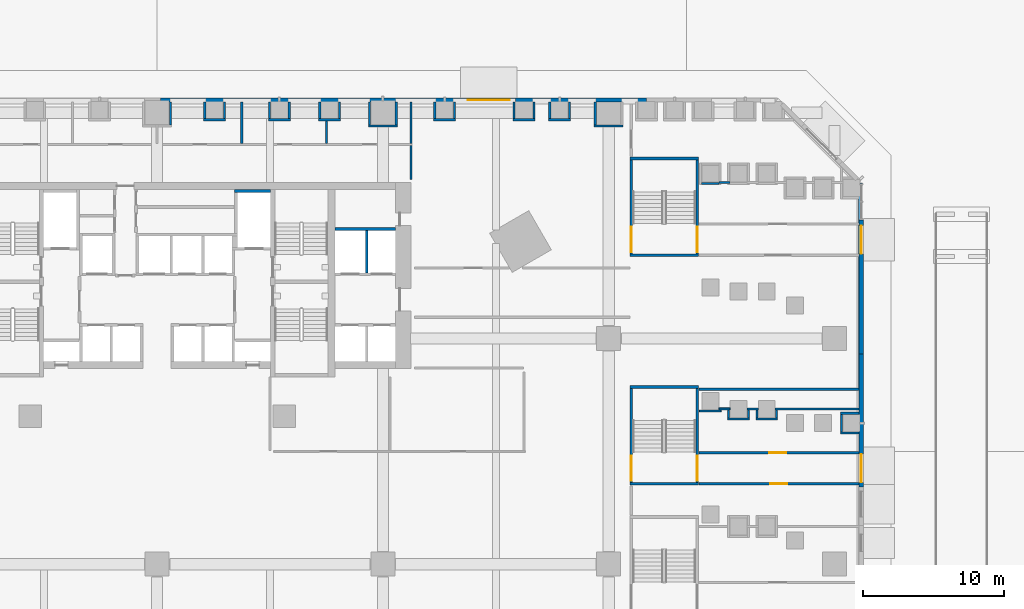
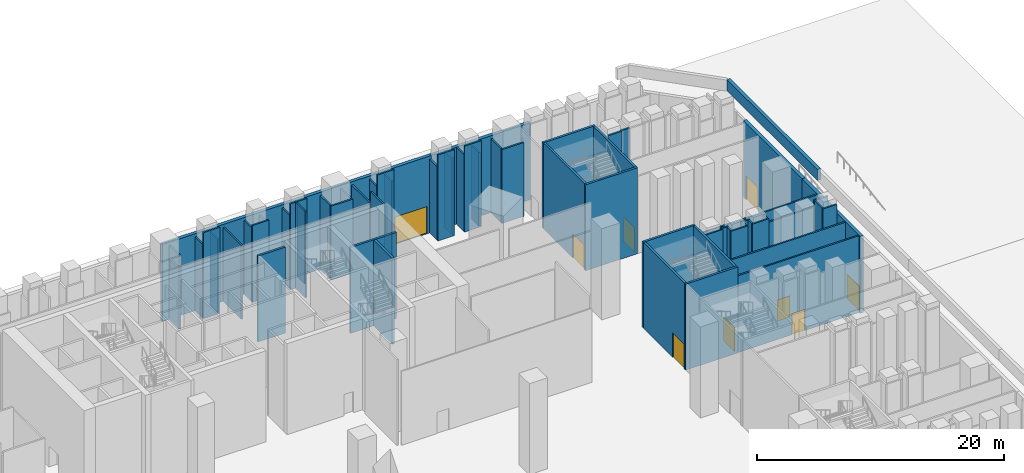
# One storey, part 28 of 51: 62 walls, 9 doors, 9 openings.
"""IFC4 building model written with IfcOpenShell, lengths in metres."""

import ifcopenshell
import ifcopenshell.guid

model = None  # the IFC model being written
_history = None  # IfcOwnerHistory: only IFC2X3 demands one
_inside = {}  # id of a spatial element -> (the spatial element, [elements in it])
_under = {}  # id of a project, library or spatial element -> (it, [spatial elements below it])
_declared = {}  # id of a project -> (the project, [libraries it declares])
_typed = {}  # id of a type object -> (the type object, [elements of that type])
_made_of = {}  # id of a material, layer set ... -> (it, [elements and type objects made of it])


def new_model(schema):
    """Start an empty IFC model of exactly this schema.

    Asked for "IFC4X3", IfcOpenShell would pick the latest addendum, in which some entities
    have other attributes; the version numbers below select the first issue.
    IFC2X3 requires an IfcOwnerHistory on every rooted entity: one is made here for all.
    """
    global model, _history
    if schema == "IFC4X3":
        model = ifcopenshell.file(schema_version=(4, 3, 0, 0))
    else:
        model = ifcopenshell.file(schema=schema)
    _inside.clear()
    _under.clear()
    _declared.clear()
    _typed.clear()
    _made_of.clear()
    _history = None
    if model.schema == "IFC2X3":
        org = make("IfcOrganization", Name="unknown")
        user = make(
            "IfcPersonAndOrganization",
            ThePerson=make("IfcPerson", FamilyName="unknown"),
            TheOrganization=org,
        )
        app = make(
            "IfcApplication",
            ApplicationDeveloper=org,
            Version="unknown",
            ApplicationFullName="unknown",
            ApplicationIdentifier="unknown",
        )
        _history = make(
            "IfcOwnerHistory",
            OwningUser=user,
            OwningApplication=app,
            ChangeAction="ADDED",
            CreationDate=0,
        )
    return model


def make(cls, **values):
    """One entity of the class cls with the attributes given. An attribute that is None is left unset."""
    return model.create_entity(
        cls, **{name: value for name, value in values.items() if value is not None}
    )


def rooted(cls, **values):
    """An entity with a GlobalId (a new one), such as an element, a storey or a relation."""
    return make(cls, GlobalId=ifcopenshell.guid.new(), OwnerHistory=_history, **values)


def si_unit(unit_type, name, prefix=None):
    """IfcSIUnit, for example si_unit("LENGTHUNIT", "METRE", prefix="MILLI")."""
    return make("IfcSIUnit", UnitType=unit_type, Prefix=prefix, Name=name)


def assignment(units):
    """IfcUnitAssignment: the units of a project."""
    return None if units is None else make("IfcUnitAssignment", Units=units)


def point(xyz):
    """IfcCartesianPoint."""
    return None if xyz is None else make("IfcCartesianPoint", Coordinates=xyz)


def direction(xyz):
    """IfcDirection."""
    return None if xyz is None else make("IfcDirection", DirectionRatios=xyz)


def frame(location, z_axis=None, x_axis=None):
    """IfcAxis2Placement3D, a coordinate frame: its origin and axes. An axis left out is left unset."""
    return make(
        "IfcAxis2Placement3D",
        Location=point(location),
        Axis=direction(z_axis),
        RefDirection=direction(x_axis),
    )


def frame_2d(location, x_axis=None):
    """IfcAxis2Placement2D, a coordinate frame in the plane: its origin and x axis."""
    return make(
        "IfcAxis2Placement2D", Location=point(location), RefDirection=direction(x_axis)
    )


def origin():
    """The frame at (0, 0, 0) with its axes left unset."""
    return frame((0.0, 0.0, 0.0))


def place(relative_to, where):
    """IfcLocalPlacement: puts the frame where relative to a parent placement (None: the world)."""
    return make(
        "IfcLocalPlacement", PlacementRelTo=relative_to, RelativePlacement=where
    )


def context(
    kind, dimensions, precision=None, world=None, true_north=None, identifier=None
):
    """IfcGeometricRepresentationContext, for example the 3D "Model" context."""
    return make(
        "IfcGeometricRepresentationContext",
        ContextIdentifier=identifier,
        ContextType=kind,
        CoordinateSpaceDimension=dimensions,
        Precision=precision,
        WorldCoordinateSystem=world,
        TrueNorth=true_north,
    )


def subcontext(parent, identifier, kind, view, scale=None):
    """IfcGeometricRepresentationSubContext, for example "Body" below "Model"."""
    return make(
        "IfcGeometricRepresentationSubContext",
        ContextIdentifier=identifier,
        ContextType=kind,
        ParentContext=parent,
        TargetScale=scale,
        TargetView=view,
    )


def project(units=None, contexts=None):
    """IfcProject with its units and contexts."""
    return rooted(
        "IfcProject",
        Name="project",
        RepresentationContexts=contexts,
        UnitsInContext=assignment(units),
    )


def spatial(cls, under=None, at=None, **own):
    """A site, building, storey or space (cls), placed at a placement, below another one or the project."""
    s = rooted(cls, ObjectPlacement=at, **own)
    if under is not None:
        _under.setdefault(under.id(), (under, []))[1].append(s)
    return s


def profile(cls, at=None, kind="AREA", **sizes):
    """A parametric profile (cls). Its sizes go by their IFC names, for example OverallWidth=200.0."""
    return make(cls, ProfileType=kind, Position=at, **sizes)


def rectangle(**sizes):
    """IfcRectangleProfileDef."""
    return profile("IfcRectangleProfileDef", **sizes)


def extrude(swept, where, along, depth):
    """IfcExtrudedAreaSolid: the profile swept, set in the frame where, extruded along a direction by depth."""
    return make(
        "IfcExtrudedAreaSolid",
        SweptArea=swept,
        Position=where,
        ExtrudedDirection=direction(along),
        Depth=depth,
    )


def shape(context_of_items, identifier, shape_type, items):
    """IfcShapeRepresentation: the items that make up one representation, for example the "Body"."""
    return make(
        "IfcShapeRepresentation",
        ContextOfItems=context_of_items,
        RepresentationIdentifier=identifier,
        RepresentationType=shape_type,
        Items=items,
    )


def material(Name=None, Category=None):
    """IfcMaterial."""
    return make("IfcMaterial", Name=Name, Category=Category)


def layer(
    of_material, thickness, ventilated=None, Name=None, Category=None, Priority=None
):
    """IfcMaterialLayer: one layer of a wall or slab, of a material (None: an air gap)."""
    return make(
        "IfcMaterialLayer",
        Material=of_material,
        LayerThickness=thickness,
        IsVentilated=ventilated,
        Name=Name,
        Category=Category,
        Priority=Priority,
    )


def layer_set(layers, Name=None):
    """IfcMaterialLayerSet."""
    return make("IfcMaterialLayerSet", MaterialLayers=layers, LayerSetName=Name)


def made_of(thing, what):
    """Note that an element or type object is made of a material, layer set ...; save() writes the relation."""
    if what is not None:
        _made_of.setdefault(what.id(), (what, []))[1].append(thing)
    return thing


def type_object(cls, material=None, **own):
    """A type object (cls), such as IfcWallType, which elements share."""
    return made_of(rooted(cls, **own), material)


def element(
    cls,
    number,
    at=None,
    inside=None,
    cuts=None,
    type_object=None,
    material=None,
    context=None,
    identifier="Body",
    shape_type=None,
    held_by="IfcProductDefinitionShape",
    body=None,
    shapes=None,
    **own,
):
    """One element of the class cls, such as IfcWall. Its Tag is "e" and its number.

    at: its placement. inside: the storey or other place that contains it. cuts: it is an
    opening in that element (IfcRelVoidsElement). A single representation is given by context,
    identifier, shape_type and body (its items); several are given by shapes. held_by: the class
    of the entity that holds the representations. save() writes the other relations.
    """
    e = rooted(cls, Tag="e%d" % number, ObjectPlacement=at, **own)
    if body is not None:
        shapes = [shape(context, identifier, shape_type, body)]
    if shapes is not None:
        e.Representation = make(held_by, Representations=shapes)
    if inside is not None:
        _inside.setdefault(inside.id(), (inside, []))[1].append(e)
    if cuts is not None:
        rooted(
            "IfcRelVoidsElement", RelatingBuildingElement=cuts, RelatedOpeningElement=e
        )
    if type_object is not None:
        _typed.setdefault(type_object.id(), (type_object, []))[1].append(e)
    return made_of(e, material)


def fill(opening, filler):
    """IfcRelFillsElement: the door or window that sits in an opening."""
    return rooted(
        "IfcRelFillsElement",
        RelatingOpeningElement=opening,
        RelatedBuildingElement=filler,
    )


def aggregate(whole, parts):
    """IfcRelAggregates: a whole, such as a stair, and the parts it consists of."""
    return rooted("IfcRelAggregates", RelatingObject=whole, RelatedObjects=parts)


def save(model, path):
    """Write the relations noted so far, then the file.

    IfcRelAggregates (storeys below a building ...), IfcRelContainedInSpatialStructure (elements
    in a storey), IfcRelDefinesByType, IfcRelAssociatesMaterial and IfcRelDeclares: one each for
    every whole, place, type object, material and project.
    """
    for whole, parts in _under.values():
        aggregate(whole, parts)
    for where, things in _inside.values():
        rooted(
            "IfcRelContainedInSpatialStructure",
            RelatedElements=things,
            RelatingStructure=where,
        )
    for kind, things in _typed.values():
        rooted("IfcRelDefinesByType", RelatedObjects=things, RelatingType=kind)
    for what, things in _made_of.values():
        rooted("IfcRelAssociatesMaterial", RelatedObjects=things, RelatingMaterial=what)
    for by, libraries in _declared.values():
        rooted("IfcRelDeclares", RelatingContext=by, RelatedDefinitions=libraries)
    model.write(path)


model = new_model("IFC4")

# Units and contexts
model_context = context("Model", 3, precision=1e-05, world=origin(), true_north=direction((0.0, 1.0)))
body_context = subcontext(model_context, "Body", "Model", "MODEL_VIEW")
ifc_project = project(units=[si_unit("LENGTHUNIT", "METRE"), si_unit("AREAUNIT", "SQUARE_METRE"), si_unit("VOLUMEUNIT", "CUBIC_METRE"), si_unit("PLANEANGLEUNIT", "RADIAN"), si_unit("MASSUNIT", "GRAM", prefix="KILO")], contexts=[model_context])

# Site, building, storey
site_placement = place(None, origin())
site = spatial("IfcSite", under=ifc_project, at=site_placement, CompositionType="ELEMENT")
building_placement = place(site_placement, origin())
building = spatial("IfcBuilding", under=site, at=building_placement, Name="Calabash Gate Tower", CompositionType="ELEMENT")
storey_placement = place(building_placement, origin())
storey = spatial("IfcBuildingStorey", under=building, at=storey_placement, Name="L00", CompositionType="ELEMENT", Elevation=0.0)

# Wall, opening, door
ifc_material_1 = material(Name="Gypsum board on steel studs, mineral wool", Category="steel")
ifc_layer_1 = layer(ifc_material_1, 0.14990234375)
ifc_layer_set_1 = layer_set([ifc_layer_1], Name="Partition 150 gypsum board")
wall_type_1 = type_object("IfcWallType", Name="Partition 150 gypsum board", PredefinedType="PARTITIONING", material=ifc_layer_set_1)
wall_1_placement = place(storey_placement, frame((38.409912109375, -2.300537109375, 0.0), z_axis=(0.0, 0.0, 1.0), x_axis=(1.0, 0.0, 0.0)))
wall_1 = element("IfcWall", 1, at=wall_1_placement, inside=storey, type_object=wall_type_1, Name="Partition", PredefinedType="PARTITIONING", context=body_context, shape_type="SweptSolid", body=[
    extrude(rectangle(XDim=11.31005859375, YDim=0.15087890625, at=frame_2d((5.655029296875, 0.0))), origin(), (0.0, 0.0, 1.0), 7.60009765625),
])
opening_1_placement = place(wall_1_placement, frame((5.0400390625, 0.0, 0.0)))
opening_1 = element("IfcOpeningElement", 2, at=opening_1_placement, cuts=wall_1, Name="Opening L00-104", PredefinedType="OPENING", context=body_context, shape_type="SweptSolid", body=[
    extrude(rectangle(XDim=1.199951171875, YDim=2.10009765625, at=frame_2d((0.60009765625, 1.050048828125))), frame((0.0, 0.08544921875, 0.0), z_axis=(0.0, -1.0, 0.0), x_axis=(1.0, 0.0, 0.0)), (0.0, 0.0, 1.0), 0.1708984375),
])
ifc_material_2 = material(Name="Steel fire door set with fire-resisting glazing", Category="steel")
door_type_1 = type_object("IfcDoorType", Name="Fire door D09 1200x2100 FD60", OperationType="NOTDEFINED", PredefinedType="DOOR", material=ifc_material_2)
door_1_placement = place(opening_1_placement, origin())
door_1 = element("IfcDoor", 3, at=door_1_placement, inside=storey, type_object=door_type_1, Name="Shop 16 Florist door", OperationType="SINGLE_SWING_LEFT", OverallHeight=2.10009765625, OverallWidth=1.199951171875, PredefinedType="DOOR", context=body_context, shape_type="SweptSolid", body=[
    extrude(rectangle(XDim=1.199951171875, YDim=2.10009765625, at=frame_2d((0.60009765625, 1.050048828125))), frame((0.0, 0.02490234375, 0.0), z_axis=(0.0, -1.0, 0.0), x_axis=(1.0, 0.0, 0.0)), (0.0, 0.0, 1.0), 0.050048828125),
])
fill(opening_1, door_1)

wall_2_placement = place(storey_placement, frame((38.409912109375, -0.099609375, 0.0), z_axis=(0.0, 0.0, 1.0), x_axis=(1.0, 0.0, 0.0)))
wall_2 = element("IfcWall", 4, at=wall_2_placement, inside=storey, type_object=wall_type_1, Name="Partition", PredefinedType="PARTITIONING", context=body_context, shape_type="SweptSolid", body=[
    extrude(rectangle(XDim=11.31005859375, YDim=0.15087890625, at=frame_2d((5.655029296875, 0.0))), origin(), (0.0, 0.0, 1.0), 7.60009765625),
])
opening_2_placement = place(wall_2_placement, frame((4.9609375, 0.0, 0.0)))
opening_2 = element("IfcOpeningElement", 5, at=opening_2_placement, cuts=wall_2, Name="Opening L00-105", PredefinedType="OPENING", context=body_context, shape_type="SweptSolid", body=[
    extrude(rectangle(XDim=1.199951171875, YDim=2.10009765625, at=frame_2d((0.60009765625, 1.050048828125))), frame((0.0, 0.08544921875, 0.0), z_axis=(0.0, -1.0, 0.0), x_axis=(1.0, 0.0, 0.0)), (0.0, 0.0, 1.0), 0.1708984375),
])
ifc_material_3 = material(Name="Painted timber door", Category="wood")
door_type_2 = type_object("IfcDoorType", Name="Door D19 1200x2100", OperationType="NOTDEFINED", PredefinedType="DOOR", material=ifc_material_3)
door_2_placement = place(opening_2_placement, origin())
door_2 = element("IfcDoor", 6, at=door_2_placement, inside=storey, type_object=door_type_2, Name="Shop 16 Florist door", OperationType="SINGLE_SWING_RIGHT", OverallHeight=2.10009765625, OverallWidth=1.199951171875, PredefinedType="DOOR", context=body_context, shape_type="SweptSolid", body=[
    extrude(rectangle(XDim=1.199951171875, YDim=2.10009765625, at=frame_2d((0.60009765625, 1.050048828125))), frame((0.0, 0.02490234375, 0.0), z_axis=(0.0, -1.0, 0.0), x_axis=(1.0, 0.0, 0.0)), (0.0, 0.0, 1.0), 0.050048828125),
])
fill(opening_2, door_2)

# Walls
wall_3_placement = place(storey_placement, frame((48.425048828125, 1.301025390625, 0.0), z_axis=(0.0, 0.0, 1.0), x_axis=(1.0, 0.0, 0.0)))
element("IfcWall", 7, at=wall_3_placement, inside=storey, type_object=wall_type_1, Name="Partition", PredefinedType="PARTITIONING", context=body_context, shape_type="SweptSolid", body=[
    extrude(rectangle(XDim=1.294921875, YDim=0.14990234375, at=frame_2d((0.6474609375, 0.0))), origin(), (0.0, 0.0, 1.0), 8.5),
])
wall_4_placement = place(storey_placement, frame((48.5, 1.3759765625, 0.0), z_axis=(0.0, 0.0, 1.0), x_axis=(0.0, 1.0, 0.0)))
element("IfcWall", 8, at=wall_4_placement, inside=storey, type_object=wall_type_1, Name="Partition", PredefinedType="PARTITIONING", context=body_context, shape_type="SweptSolid", body=[
    extrude(rectangle(XDim=1.25, YDim=0.14990234375, at=frame_2d((0.625, 0.0))), origin(), (0.0, 0.0, 1.0), 8.5),
])
for number, where, z_axis, x_axis, name in (
    (9, (40.425048828125, 2.301025390625, 0.0), (0.0, 0.0, 1.0), (1.0, 0.0, 0.0), "Partition"),
    (10, (42.425048828125, 2.301025390625, 0.0), (0.0, 0.0, 1.0), (1.0, 0.0, 0.0), "Partition"),
):
    element("IfcWall", number, at=place(storey_placement, frame(where, z_axis=z_axis, x_axis=x_axis)), inside=storey, type_object=wall_type_1, Name=name, PredefinedType="PARTITIONING", context=body_context, shape_type="SweptSolid", body=[
        extrude(rectangle(XDim=1.550048828125, YDim=0.14990234375, at=frame_2d((0.77490234375, 0.0))), origin(), (0.0, 0.0, 1.0), 8.5),
    ])
for number, where, z_axis, x_axis, name in (
    (11, (40.5, 2.3759765625, 0.0), (0.0, 0.0, 1.0), (0.0, 1.0, 0.0), "Partition"),
    (12, (41.89990234375, 2.3759765625, 0.0), (0.0, 0.0, 1.0), (0.0, 1.0, 0.0), "Partition"),
    (13, (42.5, 2.3759765625, 0.0), (0.0, 0.0, 1.0), (0.0, 1.0, 0.0), "Partition"),
    (14, (43.89990234375, 2.3759765625, 0.0), (0.0, 0.0, 1.0), (0.0, 1.0, 0.0), "Partition"),
):
    element("IfcWall", number, at=place(storey_placement, frame(where, z_axis=z_axis, x_axis=x_axis)), inside=storey, type_object=wall_type_1, Name=name, PredefinedType="PARTITIONING", context=body_context, shape_type="SweptSolid", body=[
        extrude(rectangle(XDim=0.549072265625, YDim=0.14990234375, at=frame_2d((0.2744140625, 0.0))), origin(), (0.0, 0.0, 1.0), 8.5),
    ])
wall_5_placement = place(storey_placement, frame((48.425048828125, 2.700927734375, 0.0), z_axis=(0.0, 0.0, 1.0), x_axis=(1.0, 0.0, 0.0)))
element("IfcWall", 15, at=wall_5_placement, inside=storey, type_object=wall_type_1, Name="Partition", PredefinedType="PARTITIONING", context=body_context, shape_type="SweptSolid", body=[
    extrude(rectangle(XDim=1.294921875, YDim=0.14990234375, at=frame_2d((0.6474609375, 0.0))), origin(), (0.0, 0.0, 1.0), 8.5),
])
wall_6_placement = place(storey_placement, frame((38.425048828125, 2.861083984375, 0.0), z_axis=(0.0, 0.0, 1.0), x_axis=(1.0, 0.0, 0.0)))
element("IfcWall", 16, at=wall_6_placement, inside=storey, type_object=wall_type_1, Name="Partition", PredefinedType="PARTITIONING", context=body_context, shape_type="SweptSolid", body=[
    extrude(rectangle(XDim=1.550048828125, YDim=0.1279296875, at=frame_2d((0.77490234375, 0.0))), origin(), (0.0, 0.0, 1.0), 8.5),
])
wall_7_placement = place(storey_placement, frame((41.800048828125, 3.0, 0.0), z_axis=(0.0, 0.0, 1.0), x_axis=(1.0, 0.0, 0.0)))
element("IfcWall", 17, at=wall_7_placement, inside=storey, type_object=wall_type_1, Name="Partition", PredefinedType="PARTITIONING", context=body_context, shape_type="SweptSolid", body=[
    extrude(rectangle(XDim=0.800048828125, YDim=0.14990234375, at=frame_2d((0.39990234375, 0.0))), origin(), (0.0, 0.0, 1.0), 8.5),
])
wall_8_placement = place(storey_placement, frame((43.800048828125, 3.0, 0.0), z_axis=(0.0, 0.0, 1.0), x_axis=(1.0, 0.0, 0.0)))
element("IfcWall", 18, at=wall_8_placement, inside=storey, type_object=wall_type_1, Name="Partition", PredefinedType="PARTITIONING", context=body_context, shape_type="SweptSolid", body=[
    extrude(rectangle(XDim=5.919921875, YDim=0.14990234375, at=frame_2d((2.9599609375, 0.0))), origin(), (0.0, 0.0, 1.0), 7.60009765625),
])
wall_9_placement = place(storey_placement, frame((39.800048828125, 3.010986328125, 0.0), z_axis=(0.0, 0.0, 1.0), x_axis=(1.0, 0.0, 0.0)))
element("IfcWall", 19, at=wall_9_placement, inside=storey, type_object=wall_type_1, Name="Partition", PredefinedType="PARTITIONING", context=body_context, shape_type="SweptSolid", body=[
    extrude(rectangle(XDim=0.800048828125, YDim=0.1279296875, at=frame_2d((0.39990234375, 0.0))), origin(), (0.0, 0.0, 1.0), 8.5),
])
wall_10_placement = place(storey_placement, frame((38.409912109375, 4.39990234375, 0.0), z_axis=(0.0, 0.0, 1.0), x_axis=(1.0, 0.0, 0.0)))
element("IfcWall", 20, at=wall_10_placement, inside=storey, type_object=wall_type_1, Name="Partition", PredefinedType="PARTITIONING", context=body_context, shape_type="SweptSolid", body=[
    extrude(rectangle(XDim=11.31005859375, YDim=0.14990234375, at=frame_2d((5.655029296875, 0.0))), origin(), (0.0, 0.0, 1.0), 7.60009765625),
])
wall_11_placement = place(storey_placement, frame((38.574951171875, 18.968994140625, 0.0), z_axis=(0.0, 0.0, 1.0), x_axis=(1.0, 0.0, 0.0)))
element("IfcWall", 21, at=wall_11_placement, inside=storey, type_object=wall_type_1, Name="Partition", PredefinedType="PARTITIONING", context=body_context, shape_type="SweptSolid", body=[
    extrude(rectangle(XDim=1.25, YDim=0.14990234375, at=frame_2d((0.625, 0.0))), origin(), (0.0, 0.0, 1.0), 8.5),
])
wall_12_placement = place(storey_placement, frame((39.800048828125, 19.050048828125, 0.0), z_axis=(0.0, 0.0, 1.0), x_axis=(1.0, 0.0, 0.0)))
element("IfcWall", 22, at=wall_12_placement, inside=storey, type_object=wall_type_1, Name="Partition", PredefinedType="PARTITIONING", context=body_context, shape_type="SweptSolid", body=[
    extrude(rectangle(XDim=0.800048828125, YDim=0.14990234375, at=frame_2d((0.39990234375, 0.0))), origin(), (0.0, 0.0, 1.0), 8.5),
])
wall_13_placement = place(storey_placement, frame((18.0, 19.278076171875, 0.0), z_axis=(0.0, 0.0, 1.0), x_axis=(0.0, 1.0, 0.0)))
element("IfcWall", 23, at=wall_13_placement, inside=storey, type_object=wall_type_1, Name="Partition", PredefinedType="PARTITIONING", context=body_context, shape_type="SweptSolid", body=[
    extrude(rectangle(XDim=2.39697265625, YDim=0.14990234375, at=frame_2d((1.198486328125, 0.0))), origin(), (0.0, 0.0, 1.0), 8.5),
])
wall_14_placement = place(storey_placement, frame((6.0, 21.824951171875, 0.0), z_axis=(0.0, 0.0, 1.0), x_axis=(0.0, 1.0, 0.0)))
element("IfcWall", 24, at=wall_14_placement, inside=storey, type_object=wall_type_1, Name="Partition", PredefinedType="PARTITIONING", context=body_context, shape_type="SweptSolid", body=[
    extrude(rectangle(XDim=2.945068359375, YDim=0.14990234375, at=frame_2d((1.47265625, 0.0))), origin(), (0.0, 0.0, 1.0), 7.300048828125),
])
wall_15_placement = place(storey_placement, frame((12.0, 21.824951171875, 0.0), z_axis=(0.0, 0.0, 1.0), x_axis=(0.0, 1.0, 0.0)))
element("IfcWall", 25, at=wall_15_placement, inside=storey, type_object=wall_type_1, Name="Partition", PredefinedType="PARTITIONING", context=body_context, shape_type="SweptSolid", body=[
    extrude(rectangle(XDim=1.775146484375, YDim=0.14990234375, at=frame_2d((0.8876953125, 0.0))), origin(), (0.0, 0.0, 1.0), 8.5),
])
wall_16_placement = place(storey_placement, frame((18.0, 21.824951171875, 0.0), z_axis=(0.0, 0.0, 1.0), x_axis=(0.0, 1.0, 0.0)))
element("IfcWall", 26, at=wall_16_placement, inside=storey, type_object=wall_type_1, Name="Partition", PredefinedType="PARTITIONING", context=body_context, shape_type="SweptSolid", body=[
    extrude(rectangle(XDim=2.945068359375, YDim=0.14990234375, at=frame_2d((1.47265625, 0.0))), origin(), (0.0, 0.0, 1.0), 7.300048828125),
])
for number, where, z_axis, x_axis, name in (
    (27, (14.97509765625, 23.050048828125, 0.0), (0.0, 0.0, 1.0), (1.0, 0.0, 0.0), "Partition"),
    (28, (30.97509765625, 23.050048828125, 0.0), (0.0, 0.0, 1.0), (1.0, 0.0, 0.0), "Partition"),
):
    element("IfcWall", number, at=place(storey_placement, frame(where, z_axis=z_axis, x_axis=x_axis)), inside=storey, type_object=wall_type_1, Name=name, PredefinedType="PARTITIONING", context=body_context, shape_type="SweptSolid", body=[
        extrude(rectangle(XDim=2.0498046875, YDim=0.14990234375, at=frame_2d((1.02490234375, 0.0))), origin(), (0.0, 0.0, 1.0), 7.300048828125),
    ])
for number, where, z_axis, x_axis, name in (
    (29, (0.949951171875, 23.125, 0.0), (0.0, 0.0, 1.0), (0.0, 1.0, 0.0), "Partition"),
    (30, (15.050048828125, 23.125, 0.0), (0.0, 0.0, 1.0), (0.0, 1.0, 0.0), "Partition"),
    (31, (16.949951171875, 23.125, 0.0), (0.0, 0.0, 1.0), (0.0, 1.0, 0.0), "Partition"),
    (32, (31.050048828125, 23.125, 0.0), (0.0, 0.0, 1.0), (0.0, 1.0, 0.0), "Partition"),
):
    element("IfcWall", number, at=place(storey_placement, frame(where, z_axis=z_axis, x_axis=x_axis)), inside=storey, type_object=wall_type_1, Name=name, PredefinedType="PARTITIONING", context=body_context, shape_type="SweptSolid", body=[
        extrude(rectangle(XDim=1.64501953125, YDim=0.14990234375, at=frame_2d((0.822509765625, 0.0))), origin(), (0.0, 0.0, 1.0), 7.300048828125),
    ])
wall_17_placement = place(storey_placement, frame((3.299072265625, 23.5, 0.0), z_axis=(0.0, 0.0, 1.0), x_axis=(1.0, 0.0, 0.0)))
element("IfcWall", 33, at=wall_17_placement, inside=storey, type_object=wall_type_1, Name="Partition", PredefinedType="PARTITIONING", context=body_context, shape_type="SweptSolid", body=[
    extrude(rectangle(XDim=1.550048828125, YDim=0.14990234375, at=frame_2d((0.77490234375, 0.0))), origin(), (0.0, 0.0, 1.0), 8.5),
])
wall_18_placement = place(storey_placement, frame((7.89208984375, 23.5, 0.0), z_axis=(0.0, 0.0, 1.0), x_axis=(1.0, 0.0, 0.0)))
element("IfcWall", 34, at=wall_18_placement, inside=storey, type_object=wall_type_1, Name="Partition", PredefinedType="PARTITIONING", context=body_context, shape_type="SweptSolid", body=[
    extrude(rectangle(XDim=1.5498046875, YDim=0.14990234375, at=frame_2d((0.77490234375, 0.0))), origin(), (0.0, 0.0, 1.0), 7.60009765625),
])
for number, where, z_axis, x_axis, name in (
    (35, (11.447998046875, 23.5, 0.0), (0.0, 0.0, 1.0), (1.0, 0.0, 0.0), "Partition"),
    (36, (19.596923828125, 23.5, 0.0), (0.0, 0.0, 1.0), (1.0, 0.0, 0.0), "Partition"),
    (37, (25.22705078125, 23.5, 0.0), (0.0, 0.0, 1.0), (1.0, 0.0, 0.0), "Partition"),
):
    element("IfcWall", number, at=place(storey_placement, frame(where, z_axis=z_axis, x_axis=x_axis)), inside=storey, type_object=wall_type_1, Name=name, PredefinedType="PARTITIONING", context=body_context, shape_type="SweptSolid", body=[
        extrude(rectangle(XDim=1.550048828125, YDim=0.14990234375, at=frame_2d((0.77490234375, 0.0))), origin(), (0.0, 0.0, 1.0), 8.5),
    ])
wall_19_placement = place(storey_placement, frame((27.7451171875, 23.5, 0.0), z_axis=(0.0, 0.0, 1.0), x_axis=(1.0, 0.0, 0.0)))
element("IfcWall", 38, at=wall_19_placement, inside=storey, type_object=wall_type_1, Name="Partition", PredefinedType="PARTITIONING", context=body_context, shape_type="SweptSolid", body=[
    extrude(rectangle(XDim=1.5498046875, YDim=0.14990234375, at=frame_2d((0.77490234375, 0.0))), origin(), (0.0, 0.0, 1.0), 8.5),
])
for number, where, z_axis, x_axis, name in (
    (39, (3.3740234375, 23.574951171875, 0.0), (0.0, 0.0, 1.0), (0.0, 1.0, 0.0), "Partition"),
    (40, (4.77392578125, 23.574951171875, 0.0), (0.0, 0.0, 1.0), (0.0, 1.0, 0.0), "Partition"),
    (41, (7.967041015625, 23.574951171875, 0.0), (0.0, 0.0, 1.0), (0.0, 1.0, 0.0), "Partition"),
    (42, (9.366943359375, 23.574951171875, 0.0), (0.0, 0.0, 1.0), (0.0, 1.0, 0.0), "Partition"),
    (43, (11.52294921875, 23.574951171875, 0.0), (0.0, 0.0, 1.0), (0.0, 1.0, 0.0), "Partition"),
    (44, (12.923095703125, 23.574951171875, 0.0), (0.0, 0.0, 1.0), (0.0, 1.0, 0.0), "Partition"),
    (45, (19.672119140625, 23.574951171875, 0.0), (0.0, 0.0, 1.0), (0.0, 1.0, 0.0), "Partition"),
    (46, (21.072021484375, 23.574951171875, 0.0), (0.0, 0.0, 1.0), (0.0, 1.0, 0.0), "Partition"),
    (47, (25.302001953125, 23.574951171875, 0.0), (0.0, 0.0, 1.0), (0.0, 1.0, 0.0), "Partition"),
):
    element("IfcWall", number, at=place(storey_placement, frame(where, z_axis=z_axis, x_axis=x_axis)), inside=storey, type_object=wall_type_1, Name=name, PredefinedType="PARTITIONING", context=body_context, shape_type="SweptSolid", body=[
        extrude(rectangle(XDim=1.195068359375, YDim=0.14990234375, at=frame_2d((0.59765625, 0.0))), origin(), (0.0, 0.0, 1.0), 7.300048828125),
    ])
for number, where, z_axis, x_axis, name in (
    (48, (26.701904296875, 23.574951171875, 0.0), (0.0, 0.0, 1.0), (0.0, 1.0, 0.0), "Partition"),
    (49, (27.820068359375, 23.574951171875, 0.0), (0.0, 0.0, 1.0), (0.0, 1.0, 0.0), "Partition"),
):
    element("IfcWall", number, at=place(storey_placement, frame(where, z_axis=z_axis, x_axis=x_axis)), inside=storey, type_object=wall_type_1, Name=name, PredefinedType="PARTITIONING", context=body_context, shape_type="SweptSolid", body=[
        extrude(rectangle(XDim=1.195068359375, YDim=0.14990234375, at=frame_2d((0.59765625, 0.0))), origin(), (0.0, 0.0, 1.0), 7.60009765625),
    ])
wall_20_placement = place(storey_placement, frame((29.219970703125, 23.574951171875, 0.0), z_axis=(0.0, 0.0, 1.0), x_axis=(0.0, 1.0, 0.0)))
element("IfcWall", 50, at=wall_20_placement, inside=storey, type_object=wall_type_1, Name="Partition", PredefinedType="PARTITIONING", context=body_context, shape_type="SweptSolid", body=[
    extrude(rectangle(XDim=1.195068359375, YDim=0.14990234375, at=frame_2d((0.59765625, 0.0))), origin(), (0.0, 0.0, 1.0), 7.300048828125),
])
ifc_material_4 = material(Name="Terracotta brick masonry, exposed face", Category="masonry")
ifc_layer_2 = layer(ifc_material_4, 0.300048828125)
ifc_layer_set_2 = layer_set([ifc_layer_2], Name="Podium brick wall 300")
wall_type_2 = type_object("IfcWallType", Name="Podium brick wall 300", PredefinedType="SOLIDWALL", material=ifc_layer_set_2)
wall_21_placement = place(storey_placement, frame((34.673095703125, 24.89990234375, 0.0), z_axis=(0.0, 0.0, 1.0), x_axis=(-1.0, 0.0, 0.0)))
element("IfcWall", 51, at=wall_21_placement, inside=storey, type_object=wall_type_2, Name="Podium brick wall L00 4.0.1", PredefinedType="SOLIDWALL", context=body_context, shape_type="SweptSolid", body=[
    extrude(rectangle(XDim=9.277099609375, YDim=0.300048828125, at=frame_2d((4.638671875, 0.0))), origin(), (0.0, 0.0, 1.0), 7.60009765625),
])

# Wall, opening, door
ifc_material_5 = material(Name="Aluminium framed entrance wall with insulated spandrel", Category="aluminium")
ifc_layer_3 = layer(ifc_material_5, 0.300048828125)
ifc_layer_set_3 = layer_set([ifc_layer_3], Name="Podium entrance wall 300")
wall_type_3 = type_object("IfcWallType", Name="Podium entrance wall 300", PredefinedType="ELEMENTEDWALL", material=ifc_layer_set_3)
wall_22_placement = place(storey_placement, frame((49.89990234375, -2.52294921875, 0.0), z_axis=(0.0, 0.0, 1.0), x_axis=(0.0, 1.0, 0.0)))
wall_22 = element("IfcWall", 52, at=wall_22_placement, inside=storey, type_object=wall_type_3, Name="Exit door wall L00", PredefinedType="ELEMENTEDWALL", context=body_context, shape_type="SweptSolid", body=[
    extrude(rectangle(XDim=9.4228515625, YDim=0.300048828125, at=frame_2d((4.71142578125, 0.0))), origin(), (0.0, 0.0, 1.0), 7.60009765625),
])
opening_3_placement = place(wall_22_placement, frame((0.322998046875, 0.0, 0.0)))
opening_3 = element("IfcOpeningElement", 53, at=opening_3_placement, cuts=wall_22, Name="Opening L00-014", PredefinedType="OPENING", context=body_context, shape_type="SweptSolid", body=[
    extrude(rectangle(XDim=2.0, YDim=2.39990234375, at=frame_2d((1.0, 1.199951171875))), frame((0.0, 0.159912109375, 0.0), z_axis=(0.0, -1.0, 0.0), x_axis=(1.0, 0.0, 0.0)), (0.0, 0.0, 1.0), 0.320068359375),
])
ifc_material_6 = material(Name="Steel, powder coated, glazed vision panel", Category="steel")
door_type_3 = type_object("IfcDoorType", Name="Podium door DX200 2000x2400", OperationType="DOUBLE_DOOR_SINGLE_SWING", PredefinedType="DOOR", material=ifc_material_6)
door_3_placement = place(opening_3_placement, origin())
door_3 = element("IfcDoor", 54, at=door_3_placement, inside=storey, type_object=door_type_3, Name="Exit door L00", OperationType="DOUBLE_DOOR_SINGLE_SWING", OverallHeight=2.39990234375, OverallWidth=2.0, PredefinedType="DOOR", context=body_context, shape_type="SweptSolid", body=[
    extrude(rectangle(XDim=2.0, YDim=2.39990234375, at=frame_2d((1.0, 1.199951171875))), frame((0.0, 0.02490234375, 0.0), z_axis=(0.0, -1.0, 0.0), x_axis=(1.0, 0.0, 0.0)), (0.0, 0.0, 1.0), 0.050048828125),
])
fill(opening_3, door_3)

wall_23_placement = place(storey_placement, frame((49.89990234375, 6.89990234375, 0.0), z_axis=(0.0, 0.0, 1.0), x_axis=(0.0, 1.0, 0.0)))
wall_23 = element("IfcWall", 55, at=wall_23_placement, inside=storey, type_object=wall_type_3, Name="Exit door wall L00", PredefinedType="ELEMENTEDWALL", context=body_context, shape_type="SweptSolid", body=[
    extrude(rectangle(XDim=9.5, YDim=0.300048828125, at=frame_2d((4.75, 0.0))), origin(), (0.0, 0.0, 1.0), 7.60009765625),
])
opening_4_placement = place(wall_23_placement, frame((7.10009765625, 0.0, 0.0)))
opening_4 = element("IfcOpeningElement", 56, at=opening_4_placement, cuts=wall_23, Name="Opening L00-015", PredefinedType="OPENING", context=body_context, shape_type="SweptSolid", body=[
    extrude(rectangle(XDim=2.0, YDim=2.39990234375, at=frame_2d((1.0, 1.199951171875))), frame((0.0, 0.159912109375, 0.0), z_axis=(0.0, -1.0, 0.0), x_axis=(1.0, 0.0, 0.0)), (0.0, 0.0, 1.0), 0.320068359375),
])
door_4_placement = place(opening_4_placement, origin())
door_4 = element("IfcDoor", 57, at=door_4_placement, inside=storey, type_object=door_type_3, Name="Exit door L00", OperationType="DOUBLE_DOOR_SINGLE_SWING", OverallHeight=2.39990234375, OverallWidth=2.0, PredefinedType="DOOR", context=body_context, shape_type="SweptSolid", body=[
    extrude(rectangle(XDim=2.0, YDim=2.39990234375, at=frame_2d((1.0, 1.199951171875))), frame((0.0, 0.02490234375, 0.0), z_axis=(0.0, -1.0, 0.0), x_axis=(1.0, 0.0, 0.0)), (0.0, 0.0, 1.0), 0.050048828125),
])
fill(opening_4, door_4)

wall_24_placement = place(storey_placement, frame((25.39599609375, 24.89990234375, 0.0), z_axis=(0.0, 0.0, 1.0), x_axis=(-1.0, 0.0, 0.0)))
wall_24 = element("IfcWall", 58, at=wall_24_placement, inside=storey, type_object=wall_type_3, Name="Entrance door wall L00", PredefinedType="ELEMENTEDWALL", context=body_context, shape_type="SweptSolid", body=[
    extrude(rectangle(XDim=25.14990234375, YDim=0.300048828125, at=frame_2d((12.574951171875, 0.0))), origin(), (0.0, 0.0, 1.0), 7.60009765625),
])
opening_5_placement = place(wall_24_placement, frame((0.39990234375, 0.0, 0.0)))
opening_5 = element("IfcOpeningElement", 59, at=opening_5_placement, cuts=wall_24, Name="Opening L00-017", PredefinedType="OPENING", context=body_context, shape_type="SweptSolid", body=[
    extrude(rectangle(XDim=3.0, YDim=2.699951171875, at=frame_2d((1.5, 1.35009765625))), frame((0.0, 0.159912109375, 0.0), z_axis=(0.0, -1.0, 0.0), x_axis=(1.0, 0.0, 0.0)), (0.0, 0.0, 1.0), 0.320068359375),
])
ifc_material_7 = material(Name="Anodised aluminium frame, bronze finish, impact-rated laminated clear glazing", Category="aluminium")
door_type_4 = type_object("IfcDoorType", Name="Podium door DE300 3000x2700", OperationType="DOUBLE_DOOR_SINGLE_SWING", PredefinedType="DOOR", material=ifc_material_7)
door_5_placement = place(opening_5_placement, origin())
door_5 = element("IfcDoor", 60, at=door_5_placement, inside=storey, type_object=door_type_4, Name="Entrance door L00", OperationType="DOUBLE_DOOR_SINGLE_SWING", OverallHeight=2.699951171875, OverallWidth=3.0, PredefinedType="DOOR", context=body_context, shape_type="SweptSolid", body=[
    extrude(rectangle(XDim=3.0, YDim=2.699951171875, at=frame_2d((1.5, 1.35009765625))), frame((0.0, 0.02490234375, 0.0), z_axis=(0.0, -1.0, 0.0), x_axis=(1.0, 0.0, 0.0)), (0.0, 0.0, 1.0), 0.050048828125),
])
fill(opening_5, door_5)

# Walls
ifc_material_8 = material(Name="Terracotta brick masonry, exposed face", Category="masonry")
ifc_layer_4 = layer(ifc_material_8, 0.300048828125)
ifc_layer_set_4 = layer_set([ifc_layer_4], Name="Podium parapet wall 300")
wall_type_4 = type_object("IfcWallType", Name="Podium parapet wall 300", PredefinedType="PARAPET", material=ifc_layer_set_4)
wall_25_placement = place(storey_placement, frame((49.85009765625, 4.302490234375, 9.0), z_axis=(0.0, 0.0, 1.0), x_axis=(0.0, 1.0, 0.0)))
element("IfcWall", 61, at=wall_25_placement, inside=storey, type_object=wall_type_4, Name="Podium parapet L00 2.0.3", PredefinedType="PARAPET", context=body_context, shape_type="SweptSolid", body=[
    extrude(rectangle(XDim=14.697509765625, YDim=0.300048828125, at=frame_2d((7.3486328125, 0.0))), origin(), (0.0, 0.0, 1.0), 1.10009765625),
])
ifc_material_9 = material(Name="Concrete C40/50", Category="concrete")
ifc_layer_5 = layer(ifc_material_9, 0.199951171875)
ifc_layer_set_5 = layer_set([ifc_layer_5], Name="Shaft wall 200 Concrete C40/50")
wall_type_5 = type_object("IfcWallType", Name="Shaft wall 200 Concrete C40/50", PredefinedType="SOLIDWALL", material=ifc_layer_set_5)
wall_26_placement = place(storey_placement, frame((14.85009765625, 12.652587890625, 0.0), z_axis=(0.0, 0.0, 1.0), x_axis=(0.0, 1.0, 0.0)))
element("IfcWall", 62, at=wall_26_placement, inside=storey, type_object=wall_type_5, Name="Shaft wall", PredefinedType="SOLIDWALL", context=body_context, shape_type="SweptSolid", body=[
    extrude(rectangle(XDim=3.0, YDim=0.199951171875, at=frame_2d((1.5, 0.0))), origin(), (0.0, 0.0, 1.0), 8.5),
])
wall_27_placement = place(storey_placement, frame((12.60009765625, 15.752685546875, 0.0), z_axis=(0.0, 0.0, 1.0), x_axis=(1.0, 0.0, 0.0)))
element("IfcWall", 63, at=wall_27_placement, inside=storey, type_object=wall_type_5, Name="Shaft wall", PredefinedType="SOLIDWALL", context=body_context, shape_type="SweptSolid", body=[
    extrude(rectangle(XDim=4.2998046875, YDim=0.199951171875, at=frame_2d((2.14990234375, 0.0))), origin(), (0.0, 0.0, 1.0), 8.5),
])
wall_28_placement = place(storey_placement, frame((5.5, 18.45263671875, 0.0), z_axis=(0.0, 0.0, 1.0), x_axis=(1.0, 0.0, 0.0)))
element("IfcWall", 64, at=wall_28_placement, inside=storey, type_object=wall_type_5, Name="Shaft wall", PredefinedType="SOLIDWALL", context=body_context, shape_type="SweptSolid", body=[
    extrude(rectangle(XDim=2.550048828125, YDim=0.199951171875, at=frame_2d((1.27490234375, 0.0))), origin(), (0.0, 0.0, 1.0), 8.5),
])
ifc_material_10 = material(Name="Concrete C40/50", Category="concrete")
ifc_layer_6 = layer(ifc_material_10, 0.199951171875)
ifc_layer_set_6 = layer_set([ifc_layer_6], Name="Stair wall 200 Concrete C40/50")
wall_type_6 = type_object("IfcWallType", Name="Stair wall 200 Concrete C40/50", PredefinedType="SOLIDWALL", material=ifc_layer_set_6)
for number, where, z_axis, x_axis, name in (
    (65, (33.5, -2.300048828125, 0.0), (0.0, 0.0, 1.0), (1.0, 0.0, 0.0), "Stair wall"),
    (66, (33.5, 4.550048828125, 0.0), (0.0, 0.0, 1.0), (1.0, 0.0, 0.0), "Stair wall"),
):
    element("IfcWall", number, at=place(storey_placement, frame(where, z_axis=z_axis, x_axis=x_axis)), inside=storey, type_object=wall_type_6, Name=name, PredefinedType="SOLIDWALL", context=body_context, shape_type="SweptSolid", body=[
        extrude(rectangle(XDim=4.8701171875, YDim=0.199951171875, at=frame_2d((2.43505859375, 0.0))), origin(), (0.0, 0.0, 1.0), 8.5),
    ])

# Wall, opening, door
wall_29_placement = place(storey_placement, frame((33.60009765625, -2.199951171875, 0.0), z_axis=(0.0, 0.0, 1.0), x_axis=(0.0, 1.0, 0.0)))
wall_29 = element("IfcWall", 67, at=wall_29_placement, inside=storey, type_object=wall_type_6, Name="Stair wall", PredefinedType="SOLIDWALL", context=body_context, shape_type="SweptSolid", body=[
    extrude(rectangle(XDim=6.64990234375, YDim=0.199951171875, at=frame_2d((3.324951171875, 0.0))), origin(), (0.0, 0.0, 1.0), 8.5),
])
opening_6_placement = place(wall_29_placement, frame((0.10009765625, 0.0, 0.0)))
opening_6 = element("IfcOpeningElement", 68, at=opening_6_placement, cuts=wall_29, Name="Opening L00-066", PredefinedType="OPENING", context=body_context, shape_type="SweptSolid", body=[
    extrude(rectangle(XDim=1.800048828125, YDim=2.39990234375, at=frame_2d((0.89990234375, 1.199951171875))), frame((0.0, 0.10986328125, 0.0), z_axis=(0.0, -1.0, 0.0), x_axis=(1.0, 0.0, 0.0)), (0.0, 0.0, 1.0), 0.219970703125),
])
ifc_material_11 = material(Name="Steel fire door set with fire-resisting glazing", Category="steel")
door_type_5 = type_object("IfcDoorType", Name="Double fire door D16 1800x2400 FD90", OperationType="DOUBLE_DOOR_SINGLE_SWING", PredefinedType="DOOR", material=ifc_material_11)
door_6_placement = place(opening_6_placement, origin())
door_6 = element("IfcDoor", 69, at=door_6_placement, inside=storey, type_object=door_type_5, Name="Exit stair door PS9", OperationType="DOUBLE_DOOR_SINGLE_SWING", OverallHeight=2.39990234375, OverallWidth=1.800048828125, PredefinedType="DOOR", context=body_context, shape_type="SweptSolid", body=[
    extrude(rectangle(XDim=1.800048828125, YDim=2.39990234375, at=frame_2d((0.89990234375, 1.199951171875))), frame((0.0, 0.02490234375, 0.0), z_axis=(0.0, -1.0, 0.0), x_axis=(1.0, 0.0, 0.0)), (0.0, 0.0, 1.0), 0.050048828125),
])
fill(opening_6, door_6)

wall_30_placement = place(storey_placement, frame((38.27001953125, -2.199951171875, 0.0), z_axis=(0.0, 0.0, 1.0), x_axis=(0.0, 1.0, 0.0)))
wall_30 = element("IfcWall", 70, at=wall_30_placement, inside=storey, type_object=wall_type_6, Name="Stair wall", PredefinedType="SOLIDWALL", context=body_context, shape_type="SweptSolid", body=[
    extrude(rectangle(XDim=6.64990234375, YDim=0.199951171875, at=frame_2d((3.324951171875, 0.0))), origin(), (0.0, 0.0, 1.0), 8.5),
])
opening_7_placement = place(wall_30_placement, frame((0.10009765625, 0.0, 0.0)))
opening_7 = element("IfcOpeningElement", 71, at=opening_7_placement, cuts=wall_30, Name="Opening L00-067", PredefinedType="OPENING", context=body_context, shape_type="SweptSolid", body=[
    extrude(rectangle(XDim=1.800048828125, YDim=2.39990234375, at=frame_2d((0.89990234375, 1.199951171875))), frame((0.0, 0.10986328125, 0.0), z_axis=(0.0, -1.0, 0.0), x_axis=(1.0, 0.0, 0.0)), (0.0, 0.0, 1.0), 0.219970703125),
])
door_7_placement = place(opening_7_placement, origin())
door_7 = element("IfcDoor", 72, at=door_7_placement, inside=storey, type_object=door_type_5, Name="Exit stair door PS9", OperationType="DOUBLE_DOOR_SINGLE_SWING", OverallHeight=2.39990234375, OverallWidth=1.800048828125, PredefinedType="DOOR", context=body_context, shape_type="SweptSolid", body=[
    extrude(rectangle(XDim=1.800048828125, YDim=2.39990234375, at=frame_2d((0.89990234375, 1.199951171875))), frame((0.0, 0.02490234375, 0.0), z_axis=(0.0, -1.0, 0.0), x_axis=(1.0, 0.0, 0.0)), (0.0, 0.0, 1.0), 0.050048828125),
])
fill(opening_7, door_7)

# Walls
for number, where, z_axis, x_axis, name in (
    (73, (33.5, 13.89990234375, 0.0), (0.0, 0.0, 1.0), (1.0, 0.0, 0.0), "Stair wall"),
    (74, (33.5, 20.75, 0.0), (0.0, 0.0, 1.0), (1.0, 0.0, 0.0), "Stair wall"),
):
    element("IfcWall", number, at=place(storey_placement, frame(where, z_axis=z_axis, x_axis=x_axis)), inside=storey, type_object=wall_type_6, Name=name, PredefinedType="SOLIDWALL", context=body_context, shape_type="SweptSolid", body=[
        extrude(rectangle(XDim=4.8701171875, YDim=0.199951171875, at=frame_2d((2.43505859375, 0.0))), origin(), (0.0, 0.0, 1.0), 8.5),
    ])

# Wall, opening, door
wall_31_placement = place(storey_placement, frame((33.60009765625, 14.0, 0.0), z_axis=(0.0, 0.0, 1.0), x_axis=(0.0, 1.0, 0.0)))
wall_31 = element("IfcWall", 75, at=wall_31_placement, inside=storey, type_object=wall_type_6, Name="Stair wall", PredefinedType="SOLIDWALL", context=body_context, shape_type="SweptSolid", body=[
    extrude(rectangle(XDim=6.64990234375, YDim=0.199951171875, at=frame_2d((3.324951171875, 0.0))), origin(), (0.0, 0.0, 1.0), 8.5),
])
opening_8_placement = place(wall_31_placement, frame((0.10009765625, 0.0, 0.0)))
opening_8 = element("IfcOpeningElement", 76, at=opening_8_placement, cuts=wall_31, Name="Opening L00-068", PredefinedType="OPENING", context=body_context, shape_type="SweptSolid", body=[
    extrude(rectangle(XDim=1.800048828125, YDim=2.39990234375, at=frame_2d((0.89990234375, 1.199951171875))), frame((0.0, 0.10986328125, 0.0), z_axis=(0.0, -1.0, 0.0), x_axis=(1.0, 0.0, 0.0)), (0.0, 0.0, 1.0), 0.219970703125),
])
door_8_placement = place(opening_8_placement, origin())
door_8 = element("IfcDoor", 77, at=door_8_placement, inside=storey, type_object=door_type_5, Name="Exit stair door PS10", OperationType="DOUBLE_DOOR_SINGLE_SWING", OverallHeight=2.39990234375, OverallWidth=1.800048828125, PredefinedType="DOOR", context=body_context, shape_type="SweptSolid", body=[
    extrude(rectangle(XDim=1.800048828125, YDim=2.39990234375, at=frame_2d((0.89990234375, 1.199951171875))), frame((0.0, 0.02490234375, 0.0), z_axis=(0.0, -1.0, 0.0), x_axis=(1.0, 0.0, 0.0)), (0.0, 0.0, 1.0), 0.050048828125),
])
fill(opening_8, door_8)

wall_32_placement = place(storey_placement, frame((38.27001953125, 14.0, 0.0), z_axis=(0.0, 0.0, 1.0), x_axis=(0.0, 1.0, 0.0)))
wall_32 = element("IfcWall", 78, at=wall_32_placement, inside=storey, type_object=wall_type_6, Name="Stair wall", PredefinedType="SOLIDWALL", context=body_context, shape_type="SweptSolid", body=[
    extrude(rectangle(XDim=6.64990234375, YDim=0.199951171875, at=frame_2d((3.324951171875, 0.0))), origin(), (0.0, 0.0, 1.0), 8.5),
])
opening_9_placement = place(wall_32_placement, frame((0.10009765625, 0.0, 0.0)))
opening_9 = element("IfcOpeningElement", 79, at=opening_9_placement, cuts=wall_32, Name="Opening L00-069", PredefinedType="OPENING", context=body_context, shape_type="SweptSolid", body=[
    extrude(rectangle(XDim=1.800048828125, YDim=2.39990234375, at=frame_2d((0.89990234375, 1.199951171875))), frame((0.0, 0.10986328125, 0.0), z_axis=(0.0, -1.0, 0.0), x_axis=(1.0, 0.0, 0.0)), (0.0, 0.0, 1.0), 0.219970703125),
])
door_9_placement = place(opening_9_placement, origin())
door_9 = element("IfcDoor", 80, at=door_9_placement, inside=storey, type_object=door_type_5, Name="Exit stair door PS10", OperationType="DOUBLE_DOOR_SINGLE_SWING", OverallHeight=2.39990234375, OverallWidth=1.800048828125, PredefinedType="DOOR", context=body_context, shape_type="SweptSolid", body=[
    extrude(rectangle(XDim=1.800048828125, YDim=2.39990234375, at=frame_2d((0.89990234375, 1.199951171875))), frame((0.0, 0.02490234375, 0.0), z_axis=(0.0, -1.0, 0.0), x_axis=(1.0, 0.0, 0.0)), (0.0, 0.0, 1.0), 0.050048828125),
])
fill(opening_9, door_9)

save(model, "model.ifc")
